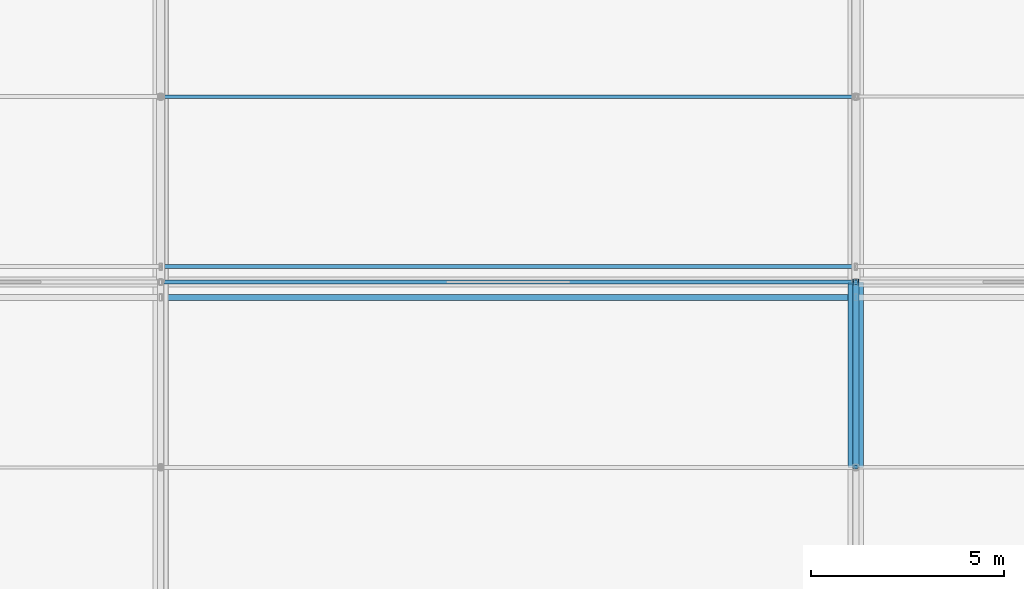
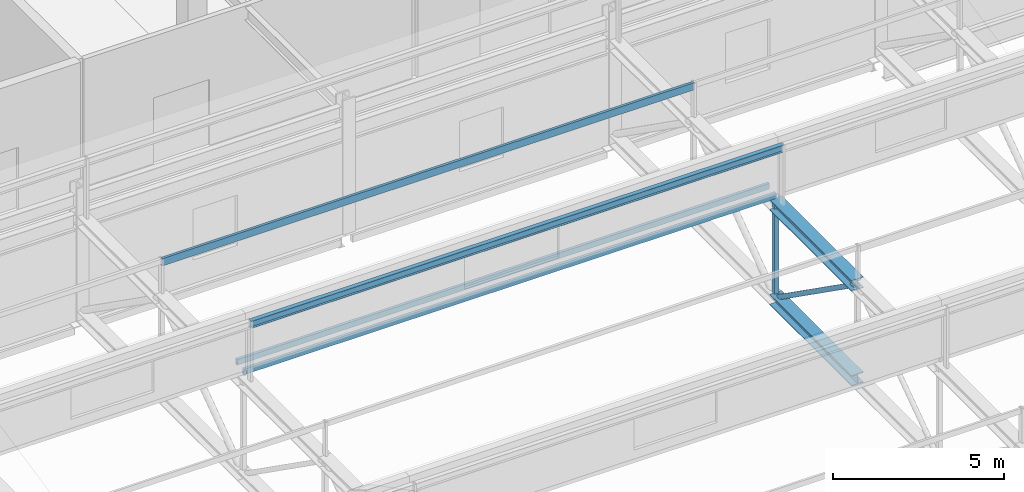
# One storey, part 53 of 136: 6 members, 2 beams.
"""IFC4 building model written with IfcOpenShell, lengths in metres."""

from ifc_helpers import new_model, si_unit, direction, frame, origin, origin_2d, place, context, subcontext, project, spatial, hollow_rectangle, hollow_circle, i_section, u_section, extrude, material, material_profile, profile_set, type_object, element, save


model = new_model("IFC4")

# Units and contexts
model_context = context("Model", 3, precision=1e-05, world=origin(), true_north=direction((0.0, 1.0)))
body_context = subcontext(model_context, "Body", "Model", "MODEL_VIEW")
ifc_project = project(units=[si_unit("LENGTHUNIT", "METRE"), si_unit("AREAUNIT", "SQUARE_METRE"), si_unit("VOLUMEUNIT", "CUBIC_METRE"), si_unit("PLANEANGLEUNIT", "RADIAN"), si_unit("MASSUNIT", "GRAM", prefix="KILO")], contexts=[model_context])

# Site, building, storey
site_placement = place(None, origin())
site = spatial("IfcSite", under=ifc_project, at=site_placement, CompositionType="ELEMENT")
building_placement = place(site_placement, origin())
building = spatial("IfcBuilding", under=site, at=building_placement, Name="Kisiwana Market Hall", CompositionType="ELEMENT")
storey_placement = place(building_placement, frame((0.0, 0.0, 16.800048828125)))
storey = spatial("IfcBuildingStorey", under=building, at=storey_placement, Name="L03", CompositionType="ELEMENT", Elevation=16.800048828125)

# Beams
ifc_material_1 = material(Name="Steel S355", Category="steel")
ifc_material_profile_1 = material_profile(ifc_material_1, i_section(OverallWidth=0.394775390625, OverallDepth=0.381103515625, WebThickness=0.018310546875, FlangeThickness=0.0302734375, at=origin_2d()), Name="UC 356x406x235")
ifc_profile_set_1 = profile_set([ifc_material_profile_1], Name="Steel S355")
beam_type_1 = type_object("IfcBeamType", Name="BM-TRUSS-BOT", PredefinedType="USERDEFINED", material=ifc_profile_set_1)
beam_1_placement = place(storey_placement, frame((108.0, 69.60009765625, 0.22998046875), z_axis=(0.0, 1.0, 0.0), x_axis=(-1.0, 0.0, 0.0)))
element("IfcBeam", 1, at=beam_1_placement, inside=storey, type_object=beam_type_1, Name="TR-05 BC panel 8 B-1265", ObjectType="ROOF TRUSS", PredefinedType="USERDEFINED", context=body_context, shape_type="SweptSolid", body=[
    extrude(i_section(OverallWidth=0.394775390625, OverallDepth=0.381103515625, WebThickness=0.018310546875, FlangeThickness=0.0302734375, at=origin_2d()), origin(), (0.0, 0.0, 1.0), 4.7998046875),
])
ifc_material_2 = material(Name="Steel S355", Category="steel")
ifc_material_profile_2 = material_profile(ifc_material_2, i_section(OverallWidth=0.39892578125, OverallDepth=0.3935546875, WebThickness=0.022705078125, FlangeThickness=0.03662109375, at=origin_2d()), Name="UC 356x406x287")
ifc_profile_set_2 = profile_set([ifc_material_profile_2], Name="Steel S355")
beam_type_2 = type_object("IfcBeamType", Name="BM-TRUSS-TOP", PredefinedType="USERDEFINED", material=ifc_profile_set_2)
beam_2_placement = place(storey_placement, frame((108.0, 69.60009765625, 3.619873046875), z_axis=(0.0, 1.0, 0.0), x_axis=(-1.0, 0.0, 0.0)))
element("IfcBeam", 2, at=beam_2_placement, inside=storey, type_object=beam_type_2, Name="TR-05 TC panel 8 B-1275", ObjectType="ROOF TRUSS", PredefinedType="USERDEFINED", context=body_context, shape_type="SweptSolid", body=[
    extrude(i_section(OverallWidth=0.39892578125, OverallDepth=0.3935546875, WebThickness=0.022705078125, FlangeThickness=0.03662109375, at=origin_2d()), origin(), (0.0, 0.0, 1.0), 4.7998046875),
])

# Members
ifc_material_3 = material(Name="Steel S355", Category="steel")
ifc_material_profile_3 = material_profile(ifc_material_3, u_section(Depth=0.260009765625, FlangeWidth=0.090087890625, WebThickness=0.008056640625, FlangeThickness=0.013916015625, at=origin_2d()), Name="PFC 260x90x35")
ifc_profile_set_3 = profile_set([ifc_material_profile_3], Name="Steel S355")
member_type_1 = type_object("IfcMemberType", Name="MB-PURL-PFC260", PredefinedType="PURLIN", material=ifc_profile_set_3)
member_1_placement = place(storey_placement, frame((90.0, 79.199951171875, 4.90625), z_axis=(1.0, 0.0, 0.0), x_axis=(0.0, 1.0, 0.0)))
element("IfcMember", 3, at=member_1_placement, inside=storey, type_object=member_type_1, Name="Sawtooth mid-slope roof purlin 70 M-0122", PredefinedType="PURLIN", context=body_context, shape_type="SweptSolid", body=[
    extrude(u_section(Depth=0.260009765625, FlangeWidth=0.090087890625, WebThickness=0.008056640625, FlangeThickness=0.013916015625, at=origin_2d()), origin(), (0.0, 0.0, 1.0), 18.0),
])
ifc_material_4 = material(Name="Steel S355", Category="steel")
ifc_material_profile_4 = material_profile(ifc_material_4, hollow_rectangle(XDim=0.10009765625, YDim=0.199951171875, WallThickness=0.008056640625, at=origin_2d()), Name="RHS 200x100x8.0")
ifc_profile_set_4 = profile_set([ifc_material_profile_4], Name="Steel S355")
member_type_2 = type_object("IfcMemberType", Name="MB-ROOF-PURLIN1", PredefinedType="PURLIN", material=ifc_profile_set_4)
for number, where, z_axis, x_axis, name in (
    (4, (90.0, 74.39990234375, 3.90087890625), (1.0, 0.0, 0.0), (0.0, 1.0, 0.0), "Sawtooth roof purlin 323 M-0200"),
    (5, (90.0, 74.800048828125, 4.0009765625), (1.0, 0.0, 0.0), (0.0, 1.0, 0.0), "Sawtooth roof purlin 355 M-0216"),
):
    element("IfcMember", number, at=place(storey_placement, frame(where, z_axis=z_axis, x_axis=x_axis)), inside=storey, type_object=member_type_2, Name=name, PredefinedType="PURLIN", context=body_context, shape_type="SweptSolid", body=[
        extrude(hollow_rectangle(XDim=0.10009765625, YDim=0.199951171875, WallThickness=0.008056640625, at=origin_2d()), origin(), (0.0, 0.0, 1.0), 18.0),
    ])
ifc_material_5 = material(Name="Steel S355", Category="steel")
ifc_material_profile_5 = material_profile(ifc_material_5, i_section(OverallWidth=0.146484375, OverallDepth=0.256103515625, WebThickness=0.00634765625, FlangeThickness=0.010986328125, at=origin_2d()), Name="UB 254x146x37")
ifc_profile_set_5 = profile_set([ifc_material_profile_5], Name="Steel S355")
member_type_3 = type_object("IfcMemberType", Name="MB-ROOF-PURLIN2", PredefinedType="PURLIN", material=ifc_profile_set_5)
member_2_placement = place(storey_placement, frame((90.0, 74.0, 5.843505859375), z_axis=(1.0, 0.0, 0.0), x_axis=(0.0, 1.0, 0.0)))
element("IfcMember", 6, at=member_2_placement, inside=storey, type_object=member_type_3, Name="Sawtooth roof purlin 322 M-0199", PredefinedType="PURLIN", context=body_context, shape_type="SweptSolid", body=[
    extrude(i_section(OverallWidth=0.146484375, OverallDepth=0.256103515625, WebThickness=0.00634765625, FlangeThickness=0.010986328125, at=origin_2d()), origin(), (0.0, 0.0, 1.0), 18.0),
])
ifc_material_6 = material(Name="Steel S355", Category="steel")
ifc_material_profile_6 = material_profile(ifc_material_6, hollow_circle(Radius=0.084228515625, WallThickness=0.010009765625, at=origin_2d()), Name="CHS 168.3x10.0")
ifc_profile_set_6 = profile_set([ifc_material_profile_6], Name="Steel S355")
member_type_4 = type_object("IfcMemberType", Name="MB-TR-DIAG168", PredefinedType="BRACE", material=ifc_profile_set_6)
member_3_placement = place(storey_placement, frame((108.0, 69.60009765625, 3.619873046875), z_axis=(0.0, 0.816823908826, -0.576887079046), x_axis=(-1.0, 0.0, 0.0)))
element("IfcMember", 7, at=member_3_placement, inside=storey, type_object=member_type_4, Name="TR-05 diagonal 8 M-0419", PredefinedType="BRACE", context=body_context, shape_type="SweptSolid", body=[
    extrude(hollow_circle(Radius=0.084228515625, WallThickness=0.010009765625, at=origin_2d()), origin(), (0.0, 0.0, 1.0), 5.876220703125),
])
ifc_material_7 = material(Name="Steel S355", Category="steel")
ifc_material_profile_7 = material_profile(ifc_material_7, hollow_rectangle(XDim=0.14990234375, YDim=0.14990234375, WallThickness=0.008056640625, at=origin_2d()), Name="SHS 150x150x8.0")
ifc_profile_set_7 = profile_set([ifc_material_profile_7], Name="Steel S355")
member_type_5 = type_object("IfcMemberType", Name="MB-TR-STRUT200", PredefinedType="STRUT", material=ifc_profile_set_7)
member_4_placement = place(storey_placement, frame((108.0, 74.39990234375, 0.22998046875), z_axis=(0.0, 0.0, 1.0), x_axis=(1.0, 0.0, 0.0)))
element("IfcMember", 8, at=member_4_placement, inside=storey, type_object=member_type_5, Name="TR-05 vertical strut 9 M-0429", PredefinedType="STRUT", context=body_context, shape_type="SweptSolid", body=[
    extrude(hollow_rectangle(XDim=0.14990234375, YDim=0.14990234375, WallThickness=0.008056640625, at=origin_2d()), origin(), (0.0, 0.0, 1.0), 3.389892578125),
])

save(model, "model.ifc")
